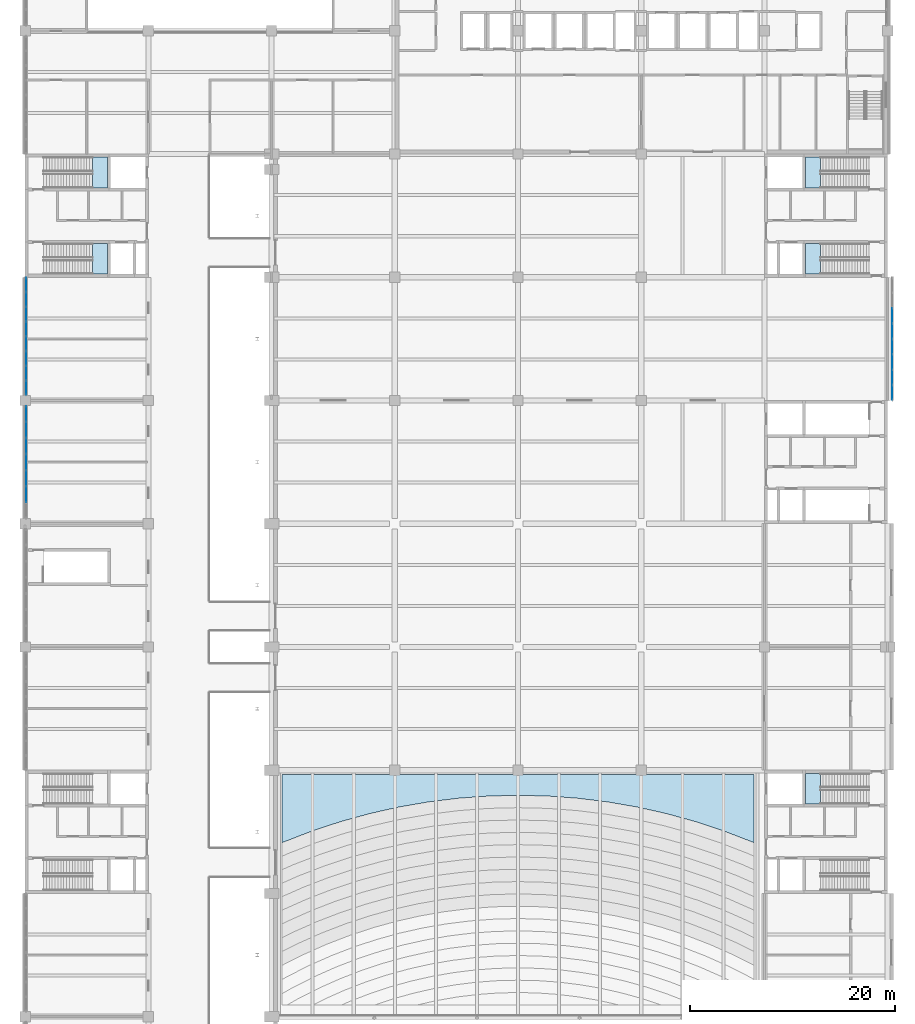
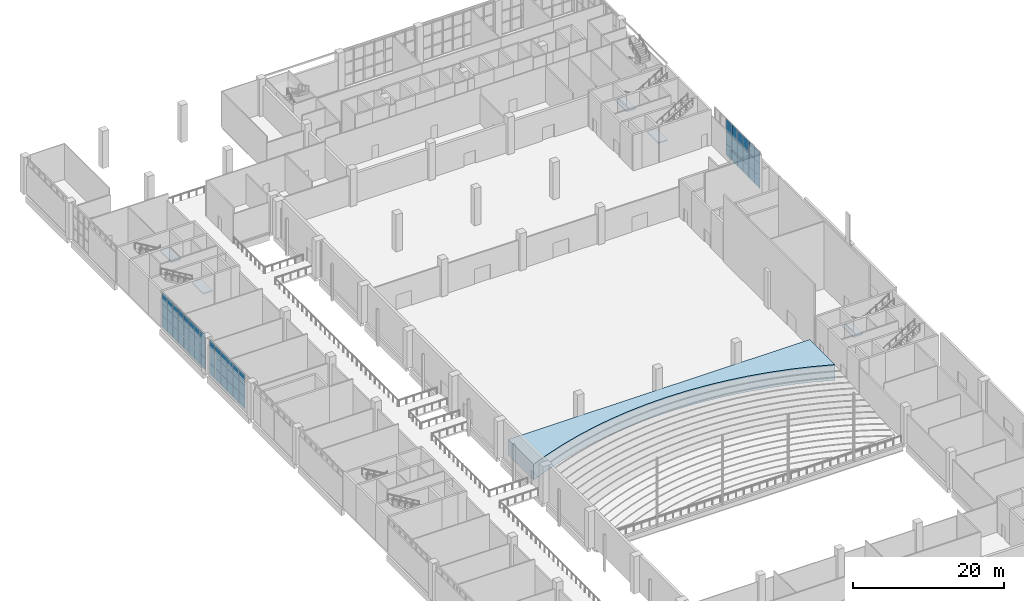
# One storey, part 46 of 72: 60 plates, 6 slabs, 8 elements without a shape of their own.
"""IFC4 building model written with IfcOpenShell, lengths in metres."""

from ifc_helpers import new_model, si_unit, direction, frame, origin, origin_2d, place, context, subcontext, project, spatial, polyline, rectangle, outline, extrude, material, layer, layer_set, type_object, element, aggregate, save


model = new_model("IFC4")

# Units and contexts
model_context = context("Model", 3, precision=1e-05, world=origin(), true_north=direction((0.0, 1.0)))
body_context = subcontext(model_context, "Body", "Model", "MODEL_VIEW")
ifc_project = project(units=[si_unit("LENGTHUNIT", "METRE"), si_unit("AREAUNIT", "SQUARE_METRE"), si_unit("VOLUMEUNIT", "CUBIC_METRE"), si_unit("PLANEANGLEUNIT", "RADIAN"), si_unit("MASSUNIT", "GRAM", prefix="KILO")], contexts=[model_context])

# Site, building, storey
site_placement = place(None, origin())
site = spatial("IfcSite", under=ifc_project, at=site_placement, CompositionType="ELEMENT")
building_placement = place(site_placement, origin())
building = spatial("IfcBuilding", under=site, at=building_placement, Name="Lilac Gate Convention Centre", CompositionType="ELEMENT")
storey_placement = place(building_placement, frame((0.0, 0.0, 6.0)))
storey = spatial("IfcBuildingStorey", under=building, at=storey_placement, Name="L01", CompositionType="ELEMENT", Elevation=6.0)

# Curtain wall, plates
ifc_material_1 = material(Name="Aluminium framed double glazing", Category="aluminium")
ifc_layer_1 = layer(ifc_material_1, 0.199951171875)
ifc_layer_set_1 = layer_set([ifc_layer_1], Name="Aluminium framed double glazing")
curtain_wall_type = type_object("IfcCurtainWallType", Name="Unitised curtain wall 1500", PredefinedType="NOTDEFINED", material=ifc_layer_set_1)
curtain_wall_1_placement = place(storey_placement, origin())
curtain_wall_1 = element("IfcCurtainWall", 1, at=curtain_wall_1_placement, inside=storey, type_object=curtain_wall_type, Name="Curtain wall PW L01 1", PredefinedType="NOTDEFINED")
ifc_material_2 = material(Name="Double glazed unit low emissivity")
ifc_layer_2 = layer(ifc_material_2, 0.028076171875)
ifc_layer_set_2 = layer_set([ifc_layer_2], Name="Double glazed unit low emissivity")
plate_type_1 = type_object("IfcPlateType", Name="Curtain wall glass panel 28", PredefinedType="CURTAIN_PANEL", material=ifc_layer_set_2)
plate_1_placement = place(storey_placement, frame((6.10009765625, 209.266357421875, 1.94677734375), z_axis=(0.0, 0.0, 1.0), x_axis=(0.0, -1.0, 0.0)))
plate_1 = element("IfcPlate", 2, at=plate_1_placement, type_object=plate_type_1, Name="CW panel 1.2", PredefinedType="CURTAIN_PANEL", context=body_context, shape_type="SweptSolid", body=[
    extrude(rectangle(XDim=1.347412109375, YDim=0.028076171875, at=origin_2d()), origin(), (0.0, 0.0, 1.0), 1.856689453125),
])
plate_2_placement = place(storey_placement, frame((6.10009765625, 209.266357421875, 3.86328125), z_axis=(0.0, 0.0, 1.0), x_axis=(0.0, -1.0, 0.0)))
plate_2 = element("IfcPlate", 3, at=plate_2_placement, type_object=plate_type_1, Name="CW panel 1.3", PredefinedType="CURTAIN_PANEL", context=body_context, shape_type="SweptSolid", body=[
    extrude(rectangle(XDim=1.347412109375, YDim=0.028076171875, at=origin_2d()), origin(), (0.0, 0.0, 1.0), 1.82666015625),
])
plate_3_placement = place(storey_placement, frame((6.10009765625, 207.84375, 1.94677734375), z_axis=(0.0, 0.0, 1.0), x_axis=(0.0, -1.0, 0.0)))
plate_3 = element("IfcPlate", 4, at=plate_3_placement, type_object=plate_type_1, Name="CW panel 2.2", PredefinedType="CURTAIN_PANEL", context=body_context, shape_type="SweptSolid", body=[
    extrude(rectangle(XDim=1.37744140625, YDim=0.028076171875, at=origin_2d()), origin(), (0.0, 0.0, 1.0), 1.856689453125),
])
plate_4_placement = place(storey_placement, frame((6.10009765625, 207.84375, 3.86328125), z_axis=(0.0, 0.0, 1.0), x_axis=(0.0, -1.0, 0.0)))
plate_4 = element("IfcPlate", 5, at=plate_4_placement, type_object=plate_type_1, Name="CW panel 2.3", PredefinedType="CURTAIN_PANEL", context=body_context, shape_type="SweptSolid", body=[
    extrude(rectangle(XDim=1.37744140625, YDim=0.028076171875, at=origin_2d()), origin(), (0.0, 0.0, 1.0), 1.82666015625),
])
plate_5_placement = place(storey_placement, frame((6.10009765625, 206.40625, 1.94677734375), z_axis=(0.0, 0.0, 1.0), x_axis=(0.0, -1.0, 0.0)))
plate_5 = element("IfcPlate", 6, at=plate_5_placement, type_object=plate_type_1, Name="CW panel 3.2", PredefinedType="CURTAIN_PANEL", context=body_context, shape_type="SweptSolid", body=[
    extrude(rectangle(XDim=1.37744140625, YDim=0.028076171875, at=origin_2d()), origin(), (0.0, 0.0, 1.0), 1.856689453125),
])
plate_6_placement = place(storey_placement, frame((6.10009765625, 206.40625, 3.86328125), z_axis=(0.0, 0.0, 1.0), x_axis=(0.0, -1.0, 0.0)))
plate_6 = element("IfcPlate", 7, at=plate_6_placement, type_object=plate_type_1, Name="CW panel 3.3", PredefinedType="CURTAIN_PANEL", context=body_context, shape_type="SweptSolid", body=[
    extrude(rectangle(XDim=1.37744140625, YDim=0.028076171875, at=origin_2d()), origin(), (0.0, 0.0, 1.0), 1.82666015625),
])
plate_7_placement = place(storey_placement, frame((6.10009765625, 204.96875, 1.94677734375), z_axis=(0.0, 0.0, 1.0), x_axis=(0.0, -1.0, 0.0)))
plate_7 = element("IfcPlate", 8, at=plate_7_placement, type_object=plate_type_1, Name="CW panel 4.2", PredefinedType="CURTAIN_PANEL", context=body_context, shape_type="SweptSolid", body=[
    extrude(rectangle(XDim=1.37744140625, YDim=0.028076171875, at=origin_2d()), origin(), (0.0, 0.0, 1.0), 1.856689453125),
])
plate_8_placement = place(storey_placement, frame((6.10009765625, 204.96875, 3.86328125), z_axis=(0.0, 0.0, 1.0), x_axis=(0.0, -1.0, 0.0)))
plate_8 = element("IfcPlate", 9, at=plate_8_placement, type_object=plate_type_1, Name="CW panel 4.3", PredefinedType="CURTAIN_PANEL", context=body_context, shape_type="SweptSolid", body=[
    extrude(rectangle(XDim=1.37744140625, YDim=0.028076171875, at=origin_2d()), origin(), (0.0, 0.0, 1.0), 1.82666015625),
])
plate_9_placement = place(storey_placement, frame((6.10009765625, 203.53125, 1.94677734375), z_axis=(0.0, 0.0, 1.0), x_axis=(0.0, -1.0, 0.0)))
plate_9 = element("IfcPlate", 10, at=plate_9_placement, type_object=plate_type_1, Name="CW panel 5.2", PredefinedType="CURTAIN_PANEL", context=body_context, shape_type="SweptSolid", body=[
    extrude(rectangle(XDim=1.37744140625, YDim=0.028076171875, at=origin_2d()), origin(), (0.0, 0.0, 1.0), 1.856689453125),
])
plate_10_placement = place(storey_placement, frame((6.10009765625, 203.53125, 3.86328125), z_axis=(0.0, 0.0, 1.0), x_axis=(0.0, -1.0, 0.0)))
plate_10 = element("IfcPlate", 11, at=plate_10_placement, type_object=plate_type_1, Name="CW panel 5.3", PredefinedType="CURTAIN_PANEL", context=body_context, shape_type="SweptSolid", body=[
    extrude(rectangle(XDim=1.37744140625, YDim=0.028076171875, at=origin_2d()), origin(), (0.0, 0.0, 1.0), 1.82666015625),
])
plate_11_placement = place(storey_placement, frame((6.10009765625, 202.09375, 1.94677734375), z_axis=(0.0, 0.0, 1.0), x_axis=(0.0, -1.0, 0.0)))
plate_11 = element("IfcPlate", 12, at=plate_11_placement, type_object=plate_type_1, Name="CW panel 6.2", PredefinedType="CURTAIN_PANEL", context=body_context, shape_type="SweptSolid", body=[
    extrude(rectangle(XDim=1.37744140625, YDim=0.028076171875, at=origin_2d()), origin(), (0.0, 0.0, 1.0), 1.856689453125),
])
plate_12_placement = place(storey_placement, frame((6.10009765625, 202.09375, 3.86328125), z_axis=(0.0, 0.0, 1.0), x_axis=(0.0, -1.0, 0.0)))
plate_12 = element("IfcPlate", 13, at=plate_12_placement, type_object=plate_type_1, Name="CW panel 6.3", PredefinedType="CURTAIN_PANEL", context=body_context, shape_type="SweptSolid", body=[
    extrude(rectangle(XDim=1.37744140625, YDim=0.028076171875, at=origin_2d()), origin(), (0.0, 0.0, 1.0), 1.82666015625),
])
plate_13_placement = place(storey_placement, frame((6.10009765625, 200.65625, 1.94677734375), z_axis=(0.0, 0.0, 1.0), x_axis=(0.0, -1.0, 0.0)))
plate_13 = element("IfcPlate", 14, at=plate_13_placement, type_object=plate_type_1, Name="CW panel 7.2", PredefinedType="CURTAIN_PANEL", context=body_context, shape_type="SweptSolid", body=[
    extrude(rectangle(XDim=1.37744140625, YDim=0.028076171875, at=origin_2d()), origin(), (0.0, 0.0, 1.0), 1.856689453125),
])
plate_14_placement = place(storey_placement, frame((6.10009765625, 200.65625, 3.86328125), z_axis=(0.0, 0.0, 1.0), x_axis=(0.0, -1.0, 0.0)))
plate_14 = element("IfcPlate", 15, at=plate_14_placement, type_object=plate_type_1, Name="CW panel 7.3", PredefinedType="CURTAIN_PANEL", context=body_context, shape_type="SweptSolid", body=[
    extrude(rectangle(XDim=1.37744140625, YDim=0.028076171875, at=origin_2d()), origin(), (0.0, 0.0, 1.0), 1.82666015625),
])
plate_15_placement = place(storey_placement, frame((6.10009765625, 199.233642578125, 1.94677734375), z_axis=(0.0, 0.0, 1.0), x_axis=(0.0, -1.0, 0.0)))
plate_15 = element("IfcPlate", 16, at=plate_15_placement, type_object=plate_type_1, Name="CW panel 8.2", PredefinedType="CURTAIN_PANEL", context=body_context, shape_type="SweptSolid", body=[
    extrude(rectangle(XDim=1.347412109375, YDim=0.028076171875, at=origin_2d()), origin(), (0.0, 0.0, 1.0), 1.856689453125),
])
plate_16_placement = place(storey_placement, frame((6.10009765625, 199.233642578125, 3.86328125), z_axis=(0.0, 0.0, 1.0), x_axis=(0.0, -1.0, 0.0)))
plate_16 = element("IfcPlate", 17, at=plate_16_placement, type_object=plate_type_1, Name="CW panel 8.3", PredefinedType="CURTAIN_PANEL", context=body_context, shape_type="SweptSolid", body=[
    extrude(rectangle(XDim=1.347412109375, YDim=0.028076171875, at=origin_2d()), origin(), (0.0, 0.0, 1.0), 1.82666015625),
])

curtain_wall_2_placement = place(storey_placement, origin())
curtain_wall_2 = element("IfcCurtainWall", 18, at=curtain_wall_2_placement, inside=storey, type_object=curtain_wall_type, Name="Curtain wall PW L01 2", PredefinedType="NOTDEFINED")
plate_17_placement = place(storey_placement, frame((6.10009765625, 196.69921875, 1.94677734375), z_axis=(0.0, 0.0, 1.0), x_axis=(0.0, -1.0, 0.0)))
plate_17 = element("IfcPlate", 19, at=plate_17_placement, type_object=plate_type_1, Name="CW panel 1.2", PredefinedType="CURTAIN_PANEL", context=body_context, shape_type="SweptSolid", body=[
    extrude(rectangle(XDim=1.4814453125, YDim=0.028076171875, at=origin_2d()), origin(), (0.0, 0.0, 1.0), 1.856689453125),
])
plate_18_placement = place(storey_placement, frame((6.10009765625, 196.69921875, 3.86328125), z_axis=(0.0, 0.0, 1.0), x_axis=(0.0, -1.0, 0.0)))
plate_18 = element("IfcPlate", 20, at=plate_18_placement, type_object=plate_type_1, Name="CW panel 1.3", PredefinedType="CURTAIN_PANEL", context=body_context, shape_type="SweptSolid", body=[
    extrude(rectangle(XDim=1.4814453125, YDim=0.028076171875, at=origin_2d()), origin(), (0.0, 0.0, 1.0), 1.82666015625),
])
plate_19_placement = place(storey_placement, frame((6.10009765625, 195.142822265625, 1.94677734375), z_axis=(0.0, 0.0, 1.0), x_axis=(0.0, -1.0, 0.0)))
plate_19 = element("IfcPlate", 21, at=plate_19_placement, type_object=plate_type_1, Name="CW panel 2.2", PredefinedType="CURTAIN_PANEL", context=body_context, shape_type="SweptSolid", body=[
    extrude(rectangle(XDim=1.511474609375, YDim=0.028076171875, at=origin_2d()), origin(), (0.0, 0.0, 1.0), 1.856689453125),
])
plate_20_placement = place(storey_placement, frame((6.10009765625, 195.142822265625, 3.86328125), z_axis=(0.0, 0.0, 1.0), x_axis=(0.0, -1.0, 0.0)))
plate_20 = element("IfcPlate", 22, at=plate_20_placement, type_object=plate_type_1, Name="CW panel 2.3", PredefinedType="CURTAIN_PANEL", context=body_context, shape_type="SweptSolid", body=[
    extrude(rectangle(XDim=1.511474609375, YDim=0.028076171875, at=origin_2d()), origin(), (0.0, 0.0, 1.0), 1.82666015625),
])
plate_21_placement = place(storey_placement, frame((6.10009765625, 193.571533203125, 1.94677734375), z_axis=(0.0, 0.0, 1.0), x_axis=(0.0, -1.0, 0.0)))
plate_21 = element("IfcPlate", 23, at=plate_21_placement, type_object=plate_type_1, Name="CW panel 3.2", PredefinedType="CURTAIN_PANEL", context=body_context, shape_type="SweptSolid", body=[
    extrude(rectangle(XDim=1.511474609375, YDim=0.028076171875, at=origin_2d()), origin(), (0.0, 0.0, 1.0), 1.856689453125),
])
plate_22_placement = place(storey_placement, frame((6.10009765625, 193.571533203125, 3.86328125), z_axis=(0.0, 0.0, 1.0), x_axis=(0.0, -1.0, 0.0)))
plate_22 = element("IfcPlate", 24, at=plate_22_placement, type_object=plate_type_1, Name="CW panel 3.3", PredefinedType="CURTAIN_PANEL", context=body_context, shape_type="SweptSolid", body=[
    extrude(rectangle(XDim=1.511474609375, YDim=0.028076171875, at=origin_2d()), origin(), (0.0, 0.0, 1.0), 1.82666015625),
])
plate_23_placement = place(storey_placement, frame((6.10009765625, 192.0, 1.94677734375), z_axis=(0.0, 0.0, 1.0), x_axis=(0.0, -1.0, 0.0)))
plate_23 = element("IfcPlate", 25, at=plate_23_placement, type_object=plate_type_1, Name="CW panel 4.2", PredefinedType="CURTAIN_PANEL", context=body_context, shape_type="SweptSolid", body=[
    extrude(rectangle(XDim=1.511474609375, YDim=0.028076171875, at=origin_2d()), origin(), (0.0, 0.0, 1.0), 1.856689453125),
])
plate_24_placement = place(storey_placement, frame((6.10009765625, 192.0, 3.86328125), z_axis=(0.0, 0.0, 1.0), x_axis=(0.0, -1.0, 0.0)))
plate_24 = element("IfcPlate", 26, at=plate_24_placement, type_object=plate_type_1, Name="CW panel 4.3", PredefinedType="CURTAIN_PANEL", context=body_context, shape_type="SweptSolid", body=[
    extrude(rectangle(XDim=1.511474609375, YDim=0.028076171875, at=origin_2d()), origin(), (0.0, 0.0, 1.0), 1.82666015625),
])
plate_25_placement = place(storey_placement, frame((6.10009765625, 190.428466796875, 1.94677734375), z_axis=(0.0, 0.0, 1.0), x_axis=(0.0, -1.0, 0.0)))
plate_25 = element("IfcPlate", 27, at=plate_25_placement, type_object=plate_type_1, Name="CW panel 5.2", PredefinedType="CURTAIN_PANEL", context=body_context, shape_type="SweptSolid", body=[
    extrude(rectangle(XDim=1.511474609375, YDim=0.028076171875, at=origin_2d()), origin(), (0.0, 0.0, 1.0), 1.856689453125),
])
plate_26_placement = place(storey_placement, frame((6.10009765625, 190.428466796875, 3.86328125), z_axis=(0.0, 0.0, 1.0), x_axis=(0.0, -1.0, 0.0)))
plate_26 = element("IfcPlate", 28, at=plate_26_placement, type_object=plate_type_1, Name="CW panel 5.3", PredefinedType="CURTAIN_PANEL", context=body_context, shape_type="SweptSolid", body=[
    extrude(rectangle(XDim=1.511474609375, YDim=0.028076171875, at=origin_2d()), origin(), (0.0, 0.0, 1.0), 1.82666015625),
])
plate_27_placement = place(storey_placement, frame((6.10009765625, 188.857177734375, 1.94677734375), z_axis=(0.0, 0.0, 1.0), x_axis=(0.0, -1.0, 0.0)))
plate_27 = element("IfcPlate", 29, at=plate_27_placement, type_object=plate_type_1, Name="CW panel 6.2", PredefinedType="CURTAIN_PANEL", context=body_context, shape_type="SweptSolid", body=[
    extrude(rectangle(XDim=1.511474609375, YDim=0.028076171875, at=origin_2d()), origin(), (0.0, 0.0, 1.0), 1.856689453125),
])
plate_28_placement = place(storey_placement, frame((6.10009765625, 188.857177734375, 3.86328125), z_axis=(0.0, 0.0, 1.0), x_axis=(0.0, -1.0, 0.0)))
plate_28 = element("IfcPlate", 30, at=plate_28_placement, type_object=plate_type_1, Name="CW panel 6.3", PredefinedType="CURTAIN_PANEL", context=body_context, shape_type="SweptSolid", body=[
    extrude(rectangle(XDim=1.511474609375, YDim=0.028076171875, at=origin_2d()), origin(), (0.0, 0.0, 1.0), 1.82666015625),
])

curtain_wall_3_placement = place(storey_placement, origin())
curtain_wall_3 = element("IfcCurtainWall", 31, at=curtain_wall_3_placement, inside=storey, type_object=curtain_wall_type, Name="Curtain wall HE L01 12", PredefinedType="NOTDEFINED")
plate_29_placement = place(storey_placement, frame((90.449951171875, 198.764892578125, 2.030029296875), z_axis=(0.0, 0.0, 1.0), x_axis=(0.0, 1.0, 0.0)))
plate_29 = element("IfcPlate", 32, at=plate_29_placement, type_object=plate_type_1, Name="CW panel 1.2", PredefinedType="CURTAIN_PANEL", context=body_context, shape_type="SweptSolid", body=[
    extrude(rectangle(XDim=1.409912109375, YDim=0.028076171875, at=origin_2d()), origin(), (0.0, 0.0, 1.0), 1.93994140625),
])
plate_30_placement = place(storey_placement, frame((90.449951171875, 198.764892578125, 4.0302734375), z_axis=(0.0, 0.0, 1.0), x_axis=(0.0, 1.0, 0.0)))
plate_30 = element("IfcPlate", 33, at=plate_30_placement, type_object=plate_type_1, Name="CW panel 1.3", PredefinedType="CURTAIN_PANEL", context=body_context, shape_type="SweptSolid", body=[
    extrude(rectangle(XDim=1.409912109375, YDim=0.028076171875, at=origin_2d()), origin(), (0.0, 0.0, 1.0), 1.909912109375),
])
plate_31_placement = place(storey_placement, frame((90.449951171875, 200.25, 2.030029296875), z_axis=(0.0, 0.0, 1.0), x_axis=(0.0, 1.0, 0.0)))
plate_31 = element("IfcPlate", 34, at=plate_31_placement, type_object=plate_type_1, Name="CW panel 2.2", PredefinedType="CURTAIN_PANEL", context=body_context, shape_type="SweptSolid", body=[
    extrude(rectangle(XDim=1.43994140625, YDim=0.028076171875, at=origin_2d()), origin(), (0.0, 0.0, 1.0), 1.93994140625),
])
plate_32_placement = place(storey_placement, frame((90.449951171875, 200.25, 4.0302734375), z_axis=(0.0, 0.0, 1.0), x_axis=(0.0, 1.0, 0.0)))
plate_32 = element("IfcPlate", 35, at=plate_32_placement, type_object=plate_type_1, Name="CW panel 2.3", PredefinedType="CURTAIN_PANEL", context=body_context, shape_type="SweptSolid", body=[
    extrude(rectangle(XDim=1.43994140625, YDim=0.028076171875, at=origin_2d()), origin(), (0.0, 0.0, 1.0), 1.909912109375),
])
plate_33_placement = place(storey_placement, frame((90.449951171875, 201.75, 2.030029296875), z_axis=(0.0, 0.0, 1.0), x_axis=(0.0, 1.0, 0.0)))
plate_33 = element("IfcPlate", 36, at=plate_33_placement, type_object=plate_type_1, Name="CW panel 3.2", PredefinedType="CURTAIN_PANEL", context=body_context, shape_type="SweptSolid", body=[
    extrude(rectangle(XDim=1.43994140625, YDim=0.028076171875, at=origin_2d()), origin(), (0.0, 0.0, 1.0), 1.93994140625),
])
plate_34_placement = place(storey_placement, frame((90.449951171875, 201.75, 4.0302734375), z_axis=(0.0, 0.0, 1.0), x_axis=(0.0, 1.0, 0.0)))
plate_34 = element("IfcPlate", 37, at=plate_34_placement, type_object=plate_type_1, Name="CW panel 3.3", PredefinedType="CURTAIN_PANEL", context=body_context, shape_type="SweptSolid", body=[
    extrude(rectangle(XDim=1.43994140625, YDim=0.028076171875, at=origin_2d()), origin(), (0.0, 0.0, 1.0), 1.909912109375),
])
plate_35_placement = place(storey_placement, frame((90.449951171875, 203.25, 2.030029296875), z_axis=(0.0, 0.0, 1.0), x_axis=(0.0, 1.0, 0.0)))
plate_35 = element("IfcPlate", 38, at=plate_35_placement, type_object=plate_type_1, Name="CW panel 4.2", PredefinedType="CURTAIN_PANEL", context=body_context, shape_type="SweptSolid", body=[
    extrude(rectangle(XDim=1.43994140625, YDim=0.028076171875, at=origin_2d()), origin(), (0.0, 0.0, 1.0), 1.93994140625),
])
plate_36_placement = place(storey_placement, frame((90.449951171875, 203.25, 4.0302734375), z_axis=(0.0, 0.0, 1.0), x_axis=(0.0, 1.0, 0.0)))
plate_36 = element("IfcPlate", 39, at=plate_36_placement, type_object=plate_type_1, Name="CW panel 4.3", PredefinedType="CURTAIN_PANEL", context=body_context, shape_type="SweptSolid", body=[
    extrude(rectangle(XDim=1.43994140625, YDim=0.028076171875, at=origin_2d()), origin(), (0.0, 0.0, 1.0), 1.909912109375),
])
plate_37_placement = place(storey_placement, frame((90.449951171875, 204.75, 2.030029296875), z_axis=(0.0, 0.0, 1.0), x_axis=(0.0, 1.0, 0.0)))
plate_37 = element("IfcPlate", 40, at=plate_37_placement, type_object=plate_type_1, Name="CW panel 5.2", PredefinedType="CURTAIN_PANEL", context=body_context, shape_type="SweptSolid", body=[
    extrude(rectangle(XDim=1.43994140625, YDim=0.028076171875, at=origin_2d()), origin(), (0.0, 0.0, 1.0), 1.93994140625),
])
plate_38_placement = place(storey_placement, frame((90.449951171875, 204.75, 4.0302734375), z_axis=(0.0, 0.0, 1.0), x_axis=(0.0, 1.0, 0.0)))
plate_38 = element("IfcPlate", 41, at=plate_38_placement, type_object=plate_type_1, Name="CW panel 5.3", PredefinedType="CURTAIN_PANEL", context=body_context, shape_type="SweptSolid", body=[
    extrude(rectangle(XDim=1.43994140625, YDim=0.028076171875, at=origin_2d()), origin(), (0.0, 0.0, 1.0), 1.909912109375),
])
plate_39_placement = place(storey_placement, frame((90.449951171875, 206.25, 2.030029296875), z_axis=(0.0, 0.0, 1.0), x_axis=(0.0, 1.0, 0.0)))
plate_39 = element("IfcPlate", 42, at=plate_39_placement, type_object=plate_type_1, Name="CW panel 6.2", PredefinedType="CURTAIN_PANEL", context=body_context, shape_type="SweptSolid", body=[
    extrude(rectangle(XDim=1.43994140625, YDim=0.028076171875, at=origin_2d()), origin(), (0.0, 0.0, 1.0), 1.93994140625),
])
plate_40_placement = place(storey_placement, frame((90.449951171875, 206.25, 4.0302734375), z_axis=(0.0, 0.0, 1.0), x_axis=(0.0, 1.0, 0.0)))
plate_40 = element("IfcPlate", 43, at=plate_40_placement, type_object=plate_type_1, Name="CW panel 6.3", PredefinedType="CURTAIN_PANEL", context=body_context, shape_type="SweptSolid", body=[
    extrude(rectangle(XDim=1.43994140625, YDim=0.028076171875, at=origin_2d()), origin(), (0.0, 0.0, 1.0), 1.909912109375),
])

# Plate
ifc_material_3 = material(Name="Insulated aluminium spandrel panel", Category="aluminium")
ifc_layer_3 = layer(ifc_material_3, 0.028076171875)
ifc_layer_set_3 = layer_set([ifc_layer_3], Name="Insulated aluminium spandrel panel")
plate_type_2 = type_object("IfcPlateType", Name="Curtain wall spandrel panel 28", PredefinedType="CURTAIN_PANEL", material=ifc_layer_set_3)
plate_41_placement = place(storey_placement, frame((6.10009765625, 209.266357421875, 0.06005859375), z_axis=(0.0, 0.0, 1.0), x_axis=(0.0, -1.0, 0.0)))
plate_41 = element("IfcPlate", 44, at=plate_41_placement, type_object=plate_type_2, Name="CW spandrel 1.1", PredefinedType="CURTAIN_PANEL", context=body_context, shape_type="SweptSolid", body=[
    extrude(rectangle(XDim=1.347412109375, YDim=0.028076171875, at=origin_2d()), origin(), (0.0, 0.0, 1.0), 1.82666015625),
])

plate_42_placement = place(storey_placement, frame((6.10009765625, 207.84375, 0.06005859375), z_axis=(0.0, 0.0, 1.0), x_axis=(0.0, -1.0, 0.0)))
plate_42 = element("IfcPlate", 45, at=plate_42_placement, type_object=plate_type_2, Name="CW spandrel 2.1", PredefinedType="CURTAIN_PANEL", context=body_context, shape_type="SweptSolid", body=[
    extrude(rectangle(XDim=1.37744140625, YDim=0.028076171875, at=origin_2d()), origin(), (0.0, 0.0, 1.0), 1.82666015625),
])

plate_43_placement = place(storey_placement, frame((6.10009765625, 206.40625, 0.06005859375), z_axis=(0.0, 0.0, 1.0), x_axis=(0.0, -1.0, 0.0)))
plate_43 = element("IfcPlate", 46, at=plate_43_placement, type_object=plate_type_2, Name="CW spandrel 3.1", PredefinedType="CURTAIN_PANEL", context=body_context, shape_type="SweptSolid", body=[
    extrude(rectangle(XDim=1.37744140625, YDim=0.028076171875, at=origin_2d()), origin(), (0.0, 0.0, 1.0), 1.82666015625),
])

plate_44_placement = place(storey_placement, frame((6.10009765625, 204.96875, 0.06005859375), z_axis=(0.0, 0.0, 1.0), x_axis=(0.0, -1.0, 0.0)))
plate_44 = element("IfcPlate", 47, at=plate_44_placement, type_object=plate_type_2, Name="CW spandrel 4.1", PredefinedType="CURTAIN_PANEL", context=body_context, shape_type="SweptSolid", body=[
    extrude(rectangle(XDim=1.37744140625, YDim=0.028076171875, at=origin_2d()), origin(), (0.0, 0.0, 1.0), 1.82666015625),
])

plate_45_placement = place(storey_placement, frame((6.10009765625, 203.53125, 0.06005859375), z_axis=(0.0, 0.0, 1.0), x_axis=(0.0, -1.0, 0.0)))
plate_45 = element("IfcPlate", 48, at=plate_45_placement, type_object=plate_type_2, Name="CW spandrel 5.1", PredefinedType="CURTAIN_PANEL", context=body_context, shape_type="SweptSolid", body=[
    extrude(rectangle(XDim=1.37744140625, YDim=0.028076171875, at=origin_2d()), origin(), (0.0, 0.0, 1.0), 1.82666015625),
])

plate_46_placement = place(storey_placement, frame((6.10009765625, 202.09375, 0.06005859375), z_axis=(0.0, 0.0, 1.0), x_axis=(0.0, -1.0, 0.0)))
plate_46 = element("IfcPlate", 49, at=plate_46_placement, type_object=plate_type_2, Name="CW spandrel 6.1", PredefinedType="CURTAIN_PANEL", context=body_context, shape_type="SweptSolid", body=[
    extrude(rectangle(XDim=1.37744140625, YDim=0.028076171875, at=origin_2d()), origin(), (0.0, 0.0, 1.0), 1.82666015625),
])

plate_47_placement = place(storey_placement, frame((6.10009765625, 200.65625, 0.06005859375), z_axis=(0.0, 0.0, 1.0), x_axis=(0.0, -1.0, 0.0)))
plate_47 = element("IfcPlate", 50, at=plate_47_placement, type_object=plate_type_2, Name="CW spandrel 7.1", PredefinedType="CURTAIN_PANEL", context=body_context, shape_type="SweptSolid", body=[
    extrude(rectangle(XDim=1.37744140625, YDim=0.028076171875, at=origin_2d()), origin(), (0.0, 0.0, 1.0), 1.82666015625),
])

plate_48_placement = place(storey_placement, frame((6.10009765625, 199.233642578125, 0.06005859375), z_axis=(0.0, 0.0, 1.0), x_axis=(0.0, -1.0, 0.0)))
plate_48 = element("IfcPlate", 51, at=plate_48_placement, type_object=plate_type_2, Name="CW spandrel 8.1", PredefinedType="CURTAIN_PANEL", context=body_context, shape_type="SweptSolid", body=[
    extrude(rectangle(XDim=1.347412109375, YDim=0.028076171875, at=origin_2d()), origin(), (0.0, 0.0, 1.0), 1.82666015625),
])

aggregate(curtain_wall_1, [plate_41, plate_1, plate_2, plate_42, plate_3, plate_4, plate_43, plate_5, plate_6, plate_44, plate_7, plate_8, plate_45, plate_9, plate_10, plate_46, plate_11, plate_12, plate_47, plate_13, plate_14, plate_48, plate_15, plate_16])

plate_49_placement = place(storey_placement, frame((6.10009765625, 196.69921875, 0.06005859375), z_axis=(0.0, 0.0, 1.0), x_axis=(0.0, -1.0, 0.0)))
plate_49 = element("IfcPlate", 52, at=plate_49_placement, type_object=plate_type_2, Name="CW spandrel 1.1", PredefinedType="CURTAIN_PANEL", context=body_context, shape_type="SweptSolid", body=[
    extrude(rectangle(XDim=1.4814453125, YDim=0.028076171875, at=origin_2d()), origin(), (0.0, 0.0, 1.0), 1.82666015625),
])

plate_50_placement = place(storey_placement, frame((6.10009765625, 195.142822265625, 0.06005859375), z_axis=(0.0, 0.0, 1.0), x_axis=(0.0, -1.0, 0.0)))
plate_50 = element("IfcPlate", 53, at=plate_50_placement, type_object=plate_type_2, Name="CW spandrel 2.1", PredefinedType="CURTAIN_PANEL", context=body_context, shape_type="SweptSolid", body=[
    extrude(rectangle(XDim=1.511474609375, YDim=0.028076171875, at=origin_2d()), origin(), (0.0, 0.0, 1.0), 1.82666015625),
])

plate_51_placement = place(storey_placement, frame((6.10009765625, 193.571533203125, 0.06005859375), z_axis=(0.0, 0.0, 1.0), x_axis=(0.0, -1.0, 0.0)))
plate_51 = element("IfcPlate", 54, at=plate_51_placement, type_object=plate_type_2, Name="CW spandrel 3.1", PredefinedType="CURTAIN_PANEL", context=body_context, shape_type="SweptSolid", body=[
    extrude(rectangle(XDim=1.511474609375, YDim=0.028076171875, at=origin_2d()), origin(), (0.0, 0.0, 1.0), 1.82666015625),
])

plate_52_placement = place(storey_placement, frame((6.10009765625, 192.0, 0.06005859375), z_axis=(0.0, 0.0, 1.0), x_axis=(0.0, -1.0, 0.0)))
plate_52 = element("IfcPlate", 55, at=plate_52_placement, type_object=plate_type_2, Name="CW spandrel 4.1", PredefinedType="CURTAIN_PANEL", context=body_context, shape_type="SweptSolid", body=[
    extrude(rectangle(XDim=1.511474609375, YDim=0.028076171875, at=origin_2d()), origin(), (0.0, 0.0, 1.0), 1.82666015625),
])

plate_53_placement = place(storey_placement, frame((6.10009765625, 190.428466796875, 0.06005859375), z_axis=(0.0, 0.0, 1.0), x_axis=(0.0, -1.0, 0.0)))
plate_53 = element("IfcPlate", 56, at=plate_53_placement, type_object=plate_type_2, Name="CW spandrel 5.1", PredefinedType="CURTAIN_PANEL", context=body_context, shape_type="SweptSolid", body=[
    extrude(rectangle(XDim=1.511474609375, YDim=0.028076171875, at=origin_2d()), origin(), (0.0, 0.0, 1.0), 1.82666015625),
])

plate_54_placement = place(storey_placement, frame((6.10009765625, 188.857177734375, 0.06005859375), z_axis=(0.0, 0.0, 1.0), x_axis=(0.0, -1.0, 0.0)))
plate_54 = element("IfcPlate", 57, at=plate_54_placement, type_object=plate_type_2, Name="CW spandrel 6.1", PredefinedType="CURTAIN_PANEL", context=body_context, shape_type="SweptSolid", body=[
    extrude(rectangle(XDim=1.511474609375, YDim=0.028076171875, at=origin_2d()), origin(), (0.0, 0.0, 1.0), 1.82666015625),
])

aggregate(curtain_wall_2, [plate_49, plate_17, plate_18, plate_50, plate_19, plate_20, plate_51, plate_21, plate_22, plate_52, plate_23, plate_24, plate_53, plate_25, plate_26, plate_54, plate_27, plate_28])

plate_55_placement = place(storey_placement, frame((90.449951171875, 198.764892578125, 0.06005859375), z_axis=(0.0, 0.0, 1.0), x_axis=(0.0, 1.0, 0.0)))
plate_55 = element("IfcPlate", 58, at=plate_55_placement, type_object=plate_type_2, Name="CW spandrel 1.1", PredefinedType="CURTAIN_PANEL", context=body_context, shape_type="SweptSolid", body=[
    extrude(rectangle(XDim=1.409912109375, YDim=0.028076171875, at=origin_2d()), origin(), (0.0, 0.0, 1.0), 1.909912109375),
])

plate_56_placement = place(storey_placement, frame((90.449951171875, 200.25, 0.06005859375), z_axis=(0.0, 0.0, 1.0), x_axis=(0.0, 1.0, 0.0)))
plate_56 = element("IfcPlate", 59, at=plate_56_placement, type_object=plate_type_2, Name="CW spandrel 2.1", PredefinedType="CURTAIN_PANEL", context=body_context, shape_type="SweptSolid", body=[
    extrude(rectangle(XDim=1.43994140625, YDim=0.028076171875, at=origin_2d()), origin(), (0.0, 0.0, 1.0), 1.909912109375),
])

plate_57_placement = place(storey_placement, frame((90.449951171875, 201.75, 0.06005859375), z_axis=(0.0, 0.0, 1.0), x_axis=(0.0, 1.0, 0.0)))
plate_57 = element("IfcPlate", 60, at=plate_57_placement, type_object=plate_type_2, Name="CW spandrel 3.1", PredefinedType="CURTAIN_PANEL", context=body_context, shape_type="SweptSolid", body=[
    extrude(rectangle(XDim=1.43994140625, YDim=0.028076171875, at=origin_2d()), origin(), (0.0, 0.0, 1.0), 1.909912109375),
])

plate_58_placement = place(storey_placement, frame((90.449951171875, 203.25, 0.06005859375), z_axis=(0.0, 0.0, 1.0), x_axis=(0.0, 1.0, 0.0)))
plate_58 = element("IfcPlate", 61, at=plate_58_placement, type_object=plate_type_2, Name="CW spandrel 4.1", PredefinedType="CURTAIN_PANEL", context=body_context, shape_type="SweptSolid", body=[
    extrude(rectangle(XDim=1.43994140625, YDim=0.028076171875, at=origin_2d()), origin(), (0.0, 0.0, 1.0), 1.909912109375),
])

plate_59_placement = place(storey_placement, frame((90.449951171875, 204.75, 0.06005859375), z_axis=(0.0, 0.0, 1.0), x_axis=(0.0, 1.0, 0.0)))
plate_59 = element("IfcPlate", 62, at=plate_59_placement, type_object=plate_type_2, Name="CW spandrel 5.1", PredefinedType="CURTAIN_PANEL", context=body_context, shape_type="SweptSolid", body=[
    extrude(rectangle(XDim=1.43994140625, YDim=0.028076171875, at=origin_2d()), origin(), (0.0, 0.0, 1.0), 1.909912109375),
])

plate_60_placement = place(storey_placement, frame((90.449951171875, 206.25, 0.06005859375), z_axis=(0.0, 0.0, 1.0), x_axis=(0.0, 1.0, 0.0)))
plate_60 = element("IfcPlate", 63, at=plate_60_placement, type_object=plate_type_2, Name="CW spandrel 6.1", PredefinedType="CURTAIN_PANEL", context=body_context, shape_type="SweptSolid", body=[
    extrude(rectangle(XDim=1.43994140625, YDim=0.028076171875, at=origin_2d()), origin(), (0.0, 0.0, 1.0), 1.909912109375),
])

aggregate(curtain_wall_3, [plate_55, plate_29, plate_30, plate_56, plate_31, plate_32, plate_57, plate_33, plate_34, plate_58, plate_35, plate_36, plate_59, plate_37, plate_38, plate_60, plate_39, plate_40])

# Slab
ifc_material_4 = material(Name="Concrete C40", Category="concrete")
ifc_layer_4 = layer(ifc_material_4, 0.300048828125)
ifc_layer_set_4 = layer_set([ifc_layer_4], Name="Concrete C40")
slab_type_1 = type_object("IfcSlabType", Name="Seating tier 300 C40", PredefinedType="USERDEFINED", material=ifc_layer_set_4)
slab_1_placement = place(storey_placement, origin())
element("IfcSlab", 64, at=slab_1_placement, inside=storey, type_object=slab_type_1, Name="TS1 Stand Circle row 18", ObjectType="SEATING TIER", PredefinedType="USERDEFINED", context=body_context, shape_type="SweptSolid", body=[
    extrude(outline(polyline([(76.7890625, 155.01708984375), (74.06201171875, 156.069091796875), (71.285888671875, 156.986083984375), (68.468994140625, 157.764892578125), (65.617919921875, 158.406005859375), (62.738037109375, 158.905029296875), (59.8369140625, 159.262939453125), (56.922119140625, 159.47802734375), (54.0, 159.550048828125), (51.077880859375, 159.47802734375), (48.1630859375, 159.262939453125), (45.261962890625, 158.905029296875), (42.382080078125, 158.406005859375), (39.531005859375, 157.764892578125), (36.714111328125, 156.986083984375), (33.93798828125, 156.069091796875), (31.2109375, 155.01708984375), (31.0, 154.923095703125), (31.0, 161.60009765625), (77.0, 161.60009765625), (77.0, 154.923095703125), (76.7890625, 155.01708984375)])), origin(), (0.0, 0.0, 1.0), 2.52001953125),
])

# Stair, slab
stair_type = type_object("IfcStairType", Name="Exit stair two flights", PredefinedType="HALF_TURN_STAIR", material=ifc_material_4)
stair_1_placement = place(storey_placement, origin())
stair_1 = element("IfcStair", 65, at=stair_1_placement, inside=storey, type_object=stair_type, Name="Exit stair W4A L01 to L02", PredefinedType="HALF_TURN_STAIR")
ifc_layer_5 = layer(ifc_material_4, 0.199951171875)
ifc_layer_set_5 = layer_set([ifc_layer_5], Name="Concrete C40")
slab_type_2 = type_object("IfcSlabType", Name="Stair landing 200 precast", PredefinedType="LANDING", material=ifc_layer_set_5)
slab_2_placement = place(storey_placement, frame((0.0, 0.0, 2.800048828125)))
slab_2 = element("IfcSlab", 66, at=slab_2_placement, type_object=slab_type_2, Name="ST21 landing 1", PredefinedType="LANDING", context=body_context, shape_type="SweptSolid", body=[
    extrude(outline(polyline([(12.56005859375, 210.300048828125), (14.0, 210.300048828125), (14.0, 213.300048828125), (12.56005859375, 213.300048828125), (12.56005859375, 210.300048828125)])), origin(), (0.0, 0.0, 1.0), 0.199951171875),
])
aggregate(stair_1, [slab_2])

stair_2_placement = place(storey_placement, origin())
stair_2 = element("IfcStair", 67, at=stair_2_placement, inside=storey, type_object=stair_type, Name="Exit stair W4B L01 to L02", PredefinedType="HALF_TURN_STAIR")
slab_3_placement = place(storey_placement, frame((0.0, 0.0, 2.800048828125)))
slab_3 = element("IfcSlab", 68, at=slab_3_placement, type_object=slab_type_2, Name="ST22 landing 1", PredefinedType="LANDING", context=body_context, shape_type="SweptSolid", body=[
    extrude(outline(polyline([(12.56005859375, 218.699951171875), (14.0, 218.699951171875), (14.0, 221.699951171875), (12.56005859375, 221.699951171875), (12.56005859375, 218.699951171875)])), origin(), (0.0, 0.0, 1.0), 0.199951171875),
])
aggregate(stair_2, [slab_3])

stair_3_placement = place(storey_placement, origin())
stair_3 = element("IfcStair", 69, at=stair_3_placement, inside=storey, type_object=stair_type, Name="Exit stair E2B L01 to L02", PredefinedType="HALF_TURN_STAIR")
slab_4_placement = place(storey_placement, frame((0.0, 0.0, 2.800048828125)))
slab_4 = element("IfcSlab", 70, at=slab_4_placement, type_object=slab_type_2, Name="ST32 landing 1", PredefinedType="LANDING", context=body_context, shape_type="SweptSolid", body=[
    extrude(outline(polyline([(82.0, 158.699951171875), (83.43994140625, 158.699951171875), (83.43994140625, 161.699951171875), (82.0, 161.699951171875), (82.0, 158.699951171875)])), origin(), (0.0, 0.0, 1.0), 0.199951171875),
])
aggregate(stair_3, [slab_4])

stair_4_placement = place(storey_placement, origin())
stair_4 = element("IfcStair", 71, at=stair_4_placement, inside=storey, type_object=stair_type, Name="Exit stair E4A L01 to L02", PredefinedType="HALF_TURN_STAIR")
slab_5_placement = place(storey_placement, frame((0.0, 0.0, 2.800048828125)))
slab_5 = element("IfcSlab", 72, at=slab_5_placement, type_object=slab_type_2, Name="ST37 landing 1", PredefinedType="LANDING", context=body_context, shape_type="SweptSolid", body=[
    extrude(outline(polyline([(82.0, 210.300048828125), (83.43994140625, 210.300048828125), (83.43994140625, 213.300048828125), (82.0, 213.300048828125), (82.0, 210.300048828125)])), origin(), (0.0, 0.0, 1.0), 0.199951171875),
])
aggregate(stair_4, [slab_5])

stair_5_placement = place(storey_placement, origin())
stair_5 = element("IfcStair", 73, at=stair_5_placement, inside=storey, type_object=stair_type, Name="Exit stair E4B L01 to L02", PredefinedType="HALF_TURN_STAIR")
slab_6_placement = place(storey_placement, frame((0.0, 0.0, 2.800048828125)))
slab_6 = element("IfcSlab", 74, at=slab_6_placement, type_object=slab_type_2, Name="ST38 landing 1", PredefinedType="LANDING", context=body_context, shape_type="SweptSolid", body=[
    extrude(outline(polyline([(82.0, 218.699951171875), (83.43994140625, 218.699951171875), (83.43994140625, 221.699951171875), (82.0, 221.699951171875), (82.0, 218.699951171875)])), origin(), (0.0, 0.0, 1.0), 0.199951171875),
])
aggregate(stair_5, [slab_6])

save(model, "model.ifc")
